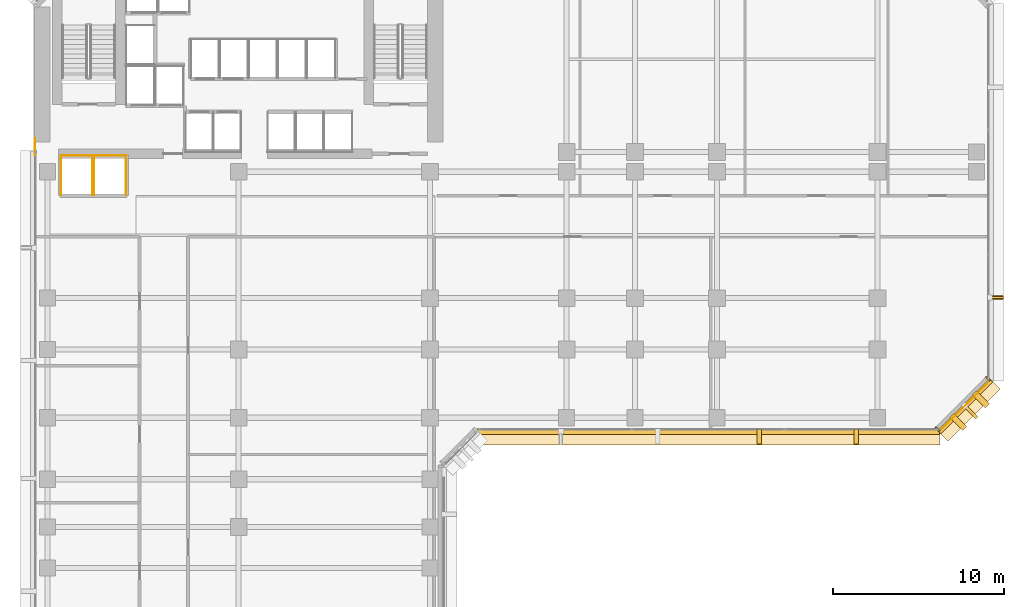
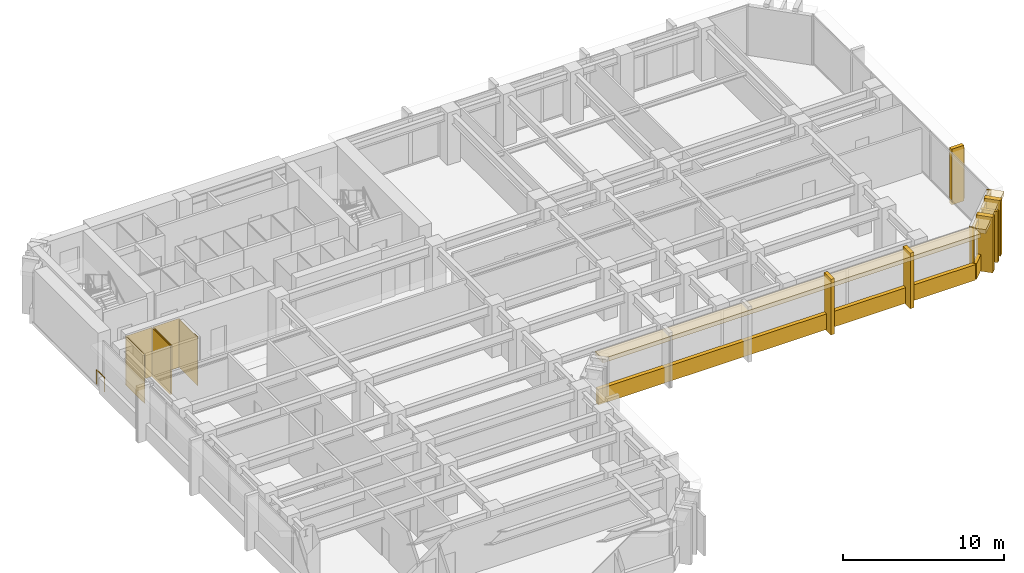
# One storey, part 10 of 13: 18 coverings, 2 shading devices, 1 railing.
"""IFC4 building model written with IfcOpenShell, lengths in metres."""

from ifc_helpers import new_model, si_unit, direction, frame, origin, origin_2d, place, context, subcontext, project, spatial, polyline, rectangle, circle, outline, extrude, material, layer, layer_set, material_profile, profile_set, type_object, element, save


model = new_model("IFC4")

# Units and contexts
model_context = context("Model", 3, precision=1e-05, world=origin(), true_north=direction((0.0, 1.0)))
body_context = subcontext(model_context, "Body", "Model", "MODEL_VIEW")
ifc_project = project(units=[si_unit("LENGTHUNIT", "METRE"), si_unit("AREAUNIT", "SQUARE_METRE"), si_unit("VOLUMEUNIT", "CUBIC_METRE"), si_unit("PLANEANGLEUNIT", "RADIAN"), si_unit("MASSUNIT", "GRAM", prefix="KILO")], contexts=[model_context])

# Site, building, storey
site_placement = place(None, origin())
site = spatial("IfcSite", under=ifc_project, at=site_placement, CompositionType="ELEMENT")
building_placement = place(site_placement, origin())
building = spatial("IfcBuilding", under=site, at=building_placement, Name="Kefirva Bronze Tower", CompositionType="ELEMENT")
storey_placement = place(building_placement, frame((0.0, 0.0, 46.199951171875)))
storey = spatial("IfcBuildingStorey", under=building, at=storey_placement, Name="L10", CompositionType="ELEMENT", Elevation=46.199951171875)

# Coverings
ifc_material_1 = material(Name="Bronze anodised aluminium", Category="aluminium")
ifc_layer_1 = layer(ifc_material_1, 0.02001953125, Name="Bronze anodised aluminium")
ifc_layer_set_1 = layer_set([ifc_layer_1], Name="Bronze anodised aluminium")
covering_type_1 = type_object("IfcCoveringType", Name="Anodised Bronze Spandrel Cladding 20mm", PredefinedType="CLADDING", material=ifc_layer_set_1)
covering_1_placement = place(storey_placement, frame((39.5, 17.9599609375, -0.16015625), z_axis=(0.0, 0.0, 1.0), x_axis=(1.0, 0.0, 0.0)))
element("IfcCovering", 1, at=covering_1_placement, inside=storey, type_object=covering_type_1, Name="L10 Streamline Horizontal Spandrel Band 4", PredefinedType="CLADDING", context=body_context, shape_type="SweptSolid", body=[
    extrude(rectangle(XDim=27.0400390625, YDim=0.280029296875, at=origin_2d()), origin(), (0.0, 0.0, 1.0), 1.179931640625),
])
covering_2_placement = place(storey_placement, frame((54.507080078125, 19.492919921875, 3.2900390625), z_axis=(0.0, 0.0, 1.0), x_axis=(0.707106781187, 0.707106781187, 0.0)))
element("IfcCovering", 2, at=covering_2_placement, inside=storey, type_object=covering_type_1, Name="L10 Bronze Spandrel Cladding 4", PredefinedType="CLADDING", context=body_context, shape_type="SweptSolid", body=[
    extrude(rectangle(XDim=3.719482421875, YDim=0.02001953125, at=origin_2d()), origin(), (0.0, 0.0, 1.0), 0.39990234375),
])
for number, where, z_axis, x_axis, name in (
    (3, (52.91162109375, 18.137939453125, 0.0), (0.0, 0.0, 1.0), (0.707106781187, 0.707106781187, 0.0), "L10 Facade Joint Closure Panel 4S"),
    (4, (55.862060546875, 21.08837890625, 0.0), (0.0, 0.0, 1.0), (0.707106781187, 0.707106781187, 0.0), "L10 Facade Joint Closure Panel 4E"),
):
    element("IfcCovering", number, at=place(storey_placement, frame(where, z_axis=z_axis, x_axis=x_axis)), inside=storey, type_object=covering_type_1, Name=name, PredefinedType="CLADDING", context=body_context, shape_type="SweptSolid", body=[
        extrude(rectangle(XDim=0.10009765625, YDim=0.320068359375, at=origin_2d()), origin(), (0.0, 0.0, 1.0), 3.7099609375),
    ])
covering_3_placement = place(storey_placement, frame((54.5283203125, 19.4716796875, -0.16015625), z_axis=(0.0, 0.0, 1.0), x_axis=(0.707106781187, 0.707106781187, 0.0)))
element("IfcCovering", 5, at=covering_3_placement, inside=storey, type_object=covering_type_1, Name="L10 Streamline Horizontal Spandrel Band 5", PredefinedType="CLADDING", context=body_context, shape_type="SweptSolid", body=[
    extrude(rectangle(XDim=4.28271484375, YDim=0.280029296875, at=origin_2d()), origin(), (0.0, 0.0, 1.0), 1.179931640625),
])
covering_4_placement = place(storey_placement, origin())
element("IfcCovering", 6, at=covering_4_placement, inside=storey, type_object=covering_type_1, Name="L10 Lift OB1 Hoistway Liner N", PredefinedType="CLADDING", context=body_context, shape_type="SweptSolid", body=[
    extrude(outline(polyline([(1.580078125, 34.139892578125), (3.469970703125, 34.139892578125), (3.469970703125, 34.159912109375), (1.580078125, 34.159912109375), (1.580078125, 34.139892578125)])), origin(), (0.0, 0.0, 1.0), 3.7099609375),
])
covering_5_placement = place(storey_placement, origin())
element("IfcCovering", 7, at=covering_5_placement, inside=storey, type_object=covering_type_1, Name="L10 Lift OB1 Hoistway Liner W", PredefinedType="CLADDING", context=body_context, shape_type="SweptSolid", body=[
    extrude(outline(polyline([(1.590087890625, 31.830078125), (1.610107421875, 31.830078125), (1.610107421875, 34.169921875), (1.590087890625, 34.169921875), (1.590087890625, 31.830078125)])), origin(), (0.0, 0.0, 1.0), 3.7099609375),
])
covering_6_placement = place(storey_placement, origin())
element("IfcCovering", 8, at=covering_6_placement, inside=storey, type_object=covering_type_1, Name="L10 Lift OB1 Hoistway Liner E", PredefinedType="CLADDING", context=body_context, shape_type="SweptSolid", body=[
    extrude(outline(polyline([(3.43994140625, 31.830078125), (3.4599609375, 31.830078125), (3.4599609375, 34.169921875), (3.43994140625, 34.169921875), (3.43994140625, 31.830078125)])), origin(), (0.0, 0.0, 1.0), 3.7099609375),
])
covering_7_placement = place(storey_placement, origin())
element("IfcCovering", 9, at=covering_7_placement, inside=storey, type_object=covering_type_1, Name="L10 Lift OB2 Hoistway Liner N", PredefinedType="CLADDING", context=body_context, shape_type="SweptSolid", body=[
    extrude(outline(polyline([(3.530029296875, 34.139892578125), (5.419921875, 34.139892578125), (5.419921875, 34.159912109375), (3.530029296875, 34.159912109375), (3.530029296875, 34.139892578125)])), origin(), (0.0, 0.0, 1.0), 3.7099609375),
])
covering_8_placement = place(storey_placement, origin())
element("IfcCovering", 10, at=covering_8_placement, inside=storey, type_object=covering_type_1, Name="L10 Lift OB2 Hoistway Liner W", PredefinedType="CLADDING", context=body_context, shape_type="SweptSolid", body=[
    extrude(outline(polyline([(3.5400390625, 31.830078125), (3.56005859375, 31.830078125), (3.56005859375, 34.169921875), (3.5400390625, 34.169921875), (3.5400390625, 31.830078125)])), origin(), (0.0, 0.0, 1.0), 3.7099609375),
])
covering_9_placement = place(storey_placement, origin())
element("IfcCovering", 11, at=covering_9_placement, inside=storey, type_object=covering_type_1, Name="L10 Lift OB2 Hoistway Liner E", PredefinedType="CLADDING", context=body_context, shape_type="SweptSolid", body=[
    extrude(outline(polyline([(5.389892578125, 31.830078125), (5.409912109375, 31.830078125), (5.409912109375, 34.169921875), (5.389892578125, 34.169921875), (5.389892578125, 31.830078125)])), origin(), (0.0, 0.0, 1.0), 3.7099609375),
])

# Shading device
ifc_material_profile_1 = material_profile(ifc_material_1, rectangle(XDim=0.179931640625, YDim=1.080078125, at=origin_2d()), Name="BRONZE BUTTRESS FIN 180x1080")
ifc_profile_set_1 = profile_set([ifc_material_profile_1], Name="Bronze anodised aluminium")
shading_device_type_1 = type_object("IfcShadingDeviceType", Name="Chamfered Corner Buttress Bronze Fin 1080mm", PredefinedType="USERDEFINED", material=ifc_profile_set_1)
shading_device_1_placement = place(storey_placement, frame((54.8251953125, 19.1748046875, -0.139892578125), z_axis=(0.0, 0.0, 1.0), x_axis=(0.707106781187, 0.707106781187, 0.0)))
element("IfcShadingDevice", 12, at=shading_device_1_placement, inside=storey, type_object=shading_device_type_1, Name="L10 Chamfered Corner Buttress Fin 14", ObjectType="VERTICAL FIN", PredefinedType="USERDEFINED", context=body_context, shape_type="SweptSolid", body=[
    extrude(rectangle(XDim=0.179931640625, YDim=1.080078125, at=origin_2d()), origin(), (0.0, 0.0, 1.0), 3.849853515625),
])

# Railing
ifc_material_2 = material(Name="Stainless steel 316", Category="steel")
railing_type = type_object("IfcRailingType", Name="Interior Stair Guardrail 1100mm", PredefinedType="GUARDRAIL", material=ifc_material_2)
railing_placement = place(storey_placement, frame((0.080078125, 34.199951171875, 0.0)))
element("IfcRailing", 13, at=railing_placement, inside=storey, type_object=railing_type, Name="L10 West Core Junction Guardrail", PredefinedType="GUARDRAIL", context=body_context, shape_type="SweptSolid", body=[
    extrude(circle(Radius=0.02392578125, at=origin_2d()), frame((0.0, 0.0, 1.076171875), z_axis=(0.0, 1.0, 0.0), x_axis=(-1.0, 0.0, 0.0)), (0.0, 0.0, 1.0), 0.949951171875),
    extrude(circle(Radius=0.02099609375, at=origin_2d()), origin(), (0.0, 0.0, 1.0), 1.052001953125),
    extrude(circle(Radius=0.02099609375, at=origin_2d()), frame((0.0, 0.949951171875, 0.0)), (0.0, 0.0, 1.0), 1.052001953125),
])

# Coverings
ifc_layer_2 = layer(ifc_material_1, 0.179931640625, Name="Bronze anodised aluminium")
ifc_layer_set_2 = layer_set([ifc_layer_2], Name="Bronze anodised aluminium")
covering_type_2 = type_object("IfcCoveringType", Name="Streamline Bronze Sunshade Eyebrow Cladding 180mm", PredefinedType="CLADDING", material=ifc_layer_set_2)
covering_10_placement = place(storey_placement, frame((39.5, 17.68994140625, 3.39013671875), z_axis=(0.0, 0.0, 1.0), x_axis=(1.0, 0.0, 0.0)))
element("IfcCovering", 14, at=covering_10_placement, inside=storey, type_object=covering_type_2, Name="L10 Streamline Bronze Sunshade Eyebrow 4", PredefinedType="CLADDING", context=body_context, shape_type="SweptSolid", body=[
    extrude(rectangle(XDim=27.080078125, YDim=0.93994140625, at=origin_2d()), origin(), (0.0, 0.0, 1.0), 0.320068359375),
])
covering_11_placement = place(storey_placement, frame((54.71923828125, 19.28076171875, 3.39013671875), z_axis=(0.0, 0.0, 1.0), x_axis=(0.707106781187, 0.707106781187, 0.0)))
element("IfcCovering", 15, at=covering_11_placement, inside=storey, type_object=covering_type_2, Name="L10 Streamline Bronze Sunshade Eyebrow 5", PredefinedType="CLADDING", context=body_context, shape_type="SweptSolid", body=[
    extrude(rectangle(XDim=4.322509765625, YDim=0.93994140625, at=origin_2d()), origin(), (0.0, 0.0, 1.0), 0.320068359375),
])
ifc_layer_3 = layer(ifc_material_1, 0.260009765625, Name="Bronze anodised aluminium")
ifc_layer_set_3 = layer_set([ifc_layer_3], Name="Bronze anodised aluminium")
covering_type_3 = type_object("IfcCoveringType", Name="Unbroken Bronze Buttress Fin Cladding 260mm", PredefinedType="CLADDING", material=ifc_layer_set_3)
for number, where, z_axis, x_axis, name in (
    (16, (42.469970703125, 17.699951171875, -0.25), (0.0, 0.0, 1.0), (1.0, 0.0, 0.0), "L10 Unbroken Vertical Bronze Rib Fin 11"),
    (17, (48.139892578125, 17.699951171875, -0.25), (0.0, 0.0, 1.0), (1.0, 0.0, 0.0), "L10 Unbroken Vertical Bronze Rib Fin 12"),
):
    element("IfcCovering", number, at=place(storey_placement, frame(where, z_axis=z_axis, x_axis=x_axis)), inside=storey, type_object=covering_type_3, Name=name, PredefinedType="CLADDING", context=body_context, shape_type="SweptSolid", body=[
        extrude(rectangle(XDim=0.260009765625, YDim=0.8798828125, at=origin_2d()), origin(), (0.0, 0.0, 1.0), 4.2099609375),
    ])
for number, where, z_axis, x_axis, name in (
    (18, (54.122802734375, 18.55712890625, -0.25), (0.0, 0.0, 1.0), (0.707106781187, 0.707106781187, 0.0), "L10 Chamfered Corner Buttress Fin Cladding 13"),
    (19, (55.44287109375, 19.877197265625, -0.25), (0.0, 0.0, 1.0), (0.707106781187, 0.707106781187, 0.0), "L10 Chamfered Corner Buttress Fin Cladding 14"),
):
    element("IfcCovering", number, at=place(storey_placement, frame(where, z_axis=z_axis, x_axis=x_axis)), inside=storey, type_object=covering_type_3, Name=name, PredefinedType="CLADDING", context=body_context, shape_type="SweptSolid", body=[
        extrude(rectangle(XDim=0.340087890625, YDim=1.080078125, at=origin_2d()), origin(), (0.0, 0.0, 1.0), 4.2099609375),
    ])
covering_12_placement = place(storey_placement, frame((56.300048828125, 25.840087890625, -0.25), z_axis=(0.0, 0.0, 1.0), x_axis=(0.0, 1.0, 0.0)))
element("IfcCovering", 20, at=covering_12_placement, inside=storey, type_object=covering_type_3, Name="L10 Unbroken Vertical Bronze Rib Fin 15", PredefinedType="CLADDING", context=body_context, shape_type="SweptSolid", body=[
    extrude(rectangle(XDim=0.260009765625, YDim=0.8798828125, at=origin_2d()), origin(), (0.0, 0.0, 1.0), 4.2099609375),
])

# Shading device
ifc_material_profile_2 = material_profile(ifc_material_1, rectangle(XDim=0.139892578125, YDim=0.8798828125, at=origin_2d()), Name="BRONZE FIN 140x880")
ifc_profile_set_2 = profile_set([ifc_material_profile_2], Name="Bronze anodised aluminium")
shading_device_type_2 = type_object("IfcShadingDeviceType", Name="Unbroken Vertical Bronze Facade Fin 880mm", PredefinedType="USERDEFINED", material=ifc_profile_set_2)
shading_device_2_placement = place(storey_placement, frame((56.360107421875, 25.840087890625, -0.139892578125), z_axis=(0.0, 0.0, 1.0), x_axis=(0.0, 1.0, 0.0)))
element("IfcShadingDevice", 21, at=shading_device_2_placement, inside=storey, type_object=shading_device_type_2, Name="L10 Vertical Bronze Rib Fin 15", ObjectType="VERTICAL FIN", PredefinedType="USERDEFINED", context=body_context, shape_type="SweptSolid", body=[
    extrude(rectangle(XDim=0.139892578125, YDim=0.8798828125, at=origin_2d()), origin(), (0.0, 0.0, 1.0), 3.849853515625),
])

save(model, "model.ifc")
